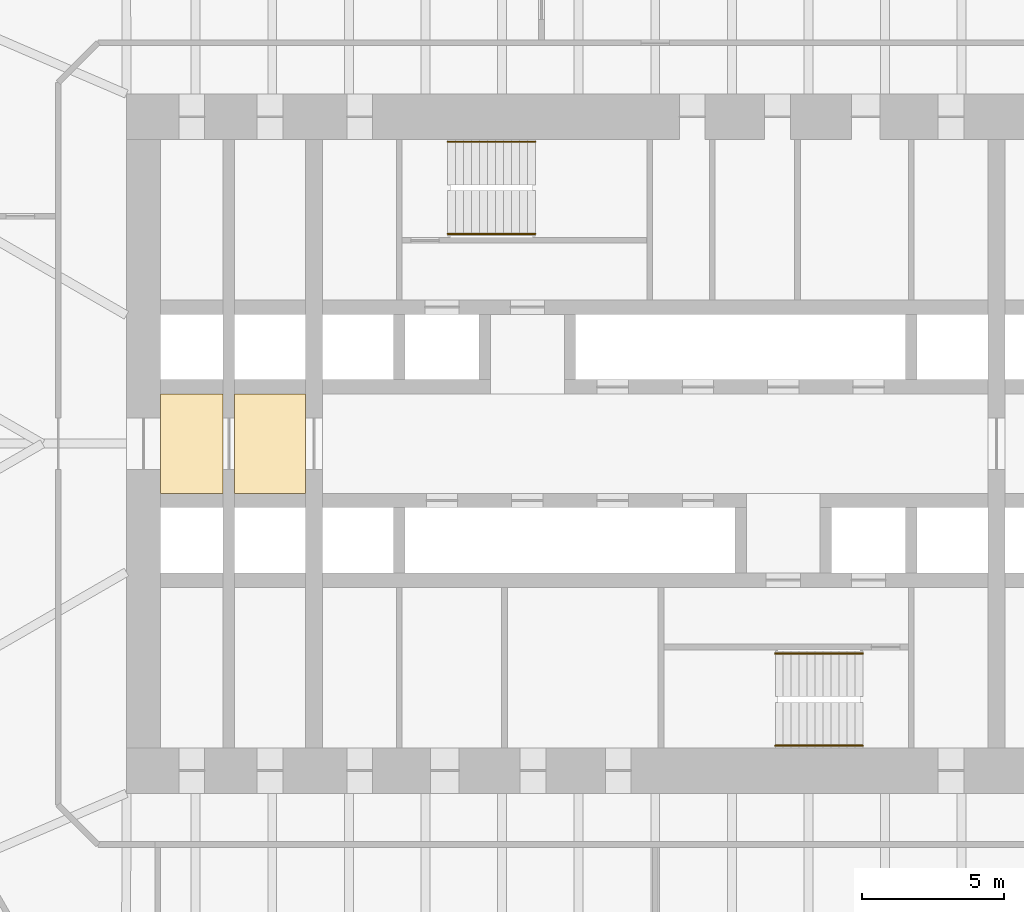
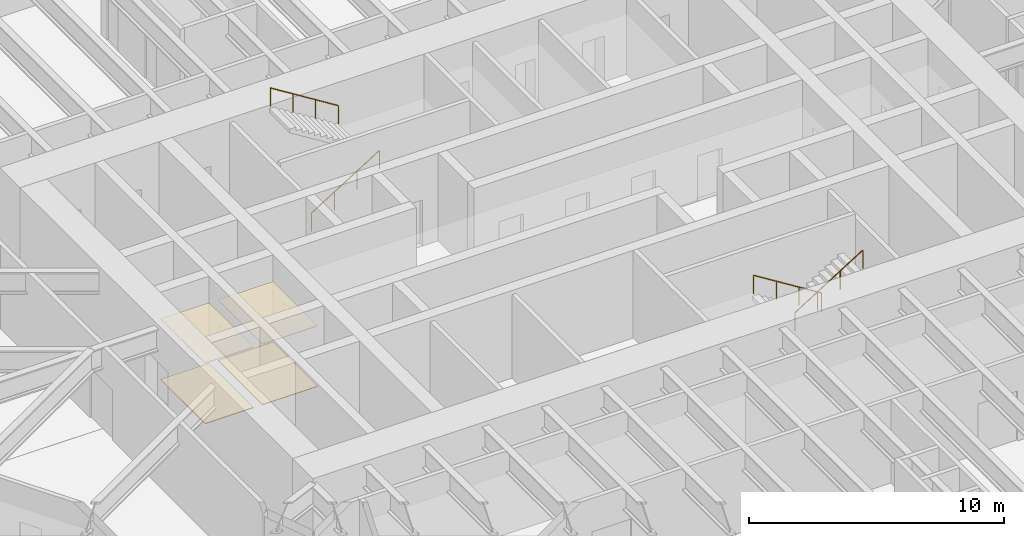
# One storey, part 22 of 24: 4 coverings, 4 railings.
"""IFC4 building model written with IfcOpenShell, lengths in metres."""

from ifc_helpers import new_model, si_unit, direction, frame, origin, origin_2d, place, context, subcontext, project, spatial, polyline, circle, outline, extrude, material, layer, layer_set, type_object, element, save


model = new_model("IFC4")

# Units and contexts
model_context = context("Model", 3, precision=1e-05, world=origin(), true_north=direction((0.0, 1.0)))
body_context = subcontext(model_context, "Body", "Model", "MODEL_VIEW")
ifc_project = project(units=[si_unit("LENGTHUNIT", "METRE"), si_unit("AREAUNIT", "SQUARE_METRE"), si_unit("VOLUMEUNIT", "CUBIC_METRE"), si_unit("PLANEANGLEUNIT", "RADIAN"), si_unit("MASSUNIT", "GRAM", prefix="KILO")], contexts=[model_context])

# Site, building, storey
site_placement = place(None, origin())
site = spatial("IfcSite", under=ifc_project, at=site_placement, CompositionType="ELEMENT")
building_placement = place(site_placement, origin())
building = spatial("IfcBuilding", under=site, at=building_placement, Name="Tarfa Lantern Tower", CompositionType="ELEMENT")
storey_placement = place(building_placement, frame((0.0, 0.0, 73.89990234375)))
storey = spatial("IfcBuildingStorey", under=building, at=storey_placement, Name="L16", CompositionType="ELEMENT", Elevation=73.89990234375)

# Coverings
ifc_material_1 = material(Name="Powder-coated aluminium panel", Category="aluminium")
ifc_layer_1 = layer(ifc_material_1, 0.030029296875)
ifc_layer_set_1 = layer_set([ifc_layer_1], Name="CL3 METAL PANEL CEILING 30")
covering_type_1 = type_object("IfcCoveringType", Name="CL3 METAL PANEL CEILING 30", PredefinedType="CEILING", material=ifc_layer_set_1)
covering_1_placement = place(storey_placement, frame((0.0, 0.0, 2.900146484375)))
element("IfcCovering", 1, at=covering_1_placement, inside=storey, type_object=covering_type_1, Name="Ceiling L16-01", PredefinedType="CEILING", context=body_context, shape_type="SweptSolid", body=[
    extrude(outline(polyline([(-17.39990234375, -1.75), (-15.199951171875, -1.75), (-15.199951171875, 1.75), (-17.39990234375, 1.75), (-17.39990234375, -1.75)])), origin(), (0.0, 0.0, 1.0), 0.030029296875),
])
covering_2_placement = place(storey_placement, frame((0.0, 0.0, 2.900146484375)))
element("IfcCovering", 2, at=covering_2_placement, inside=storey, type_object=covering_type_1, Name="Ceiling L16-02", PredefinedType="CEILING", context=body_context, shape_type="SweptSolid", body=[
    extrude(outline(polyline([(-14.800048828125, -1.75), (-12.300048828125, -1.75), (-12.300048828125, 1.75), (-14.800048828125, 1.75), (-14.800048828125, -1.75)])), origin(), (0.0, 0.0, 1.0), 0.030029296875),
])
ifc_material_2 = material(Name="Honed limestone flooring", Category="masonry")
ifc_layer_2 = layer(ifc_material_2, 0.030029296875)
ifc_layer_set_2 = layer_set([ifc_layer_2], Name="FL2 STONE FLOORING 30")
covering_type_2 = type_object("IfcCoveringType", Name="FL2 STONE FLOORING 30", PredefinedType="FLOORING", material=ifc_layer_set_2)
covering_3_placement = place(storey_placement, origin())
element("IfcCovering", 3, at=covering_3_placement, inside=storey, type_object=covering_type_2, Name="Floor finish L16-01", PredefinedType="FLOORING", context=body_context, shape_type="SweptSolid", body=[
    extrude(outline(polyline([(-17.39990234375, -1.75), (-15.199951171875, -1.75), (-15.199951171875, 1.75), (-17.39990234375, 1.75), (-17.39990234375, -1.75)])), origin(), (0.0, 0.0, 1.0), 0.030029296875),
])
covering_4_placement = place(storey_placement, origin())
element("IfcCovering", 4, at=covering_4_placement, inside=storey, type_object=covering_type_2, Name="Floor finish L16-02", PredefinedType="FLOORING", context=body_context, shape_type="SweptSolid", body=[
    extrude(outline(polyline([(-14.800048828125, -1.75), (-12.300048828125, -1.75), (-12.300048828125, 1.75), (-14.800048828125, 1.75), (-14.800048828125, -1.75)])), origin(), (0.0, 0.0, 1.0), 0.030029296875),
])

# Railings
ifc_material_3 = material(Name="Stainless steel", Category="steel")
railing_type = type_object("IfcRailingType", Name="HR1 HANDRAIL 900", PredefinedType="HANDRAIL", material=ifc_material_3)
railing_1_placement = place(storey_placement, frame((-7.300048828125, 7.3798828125, 0.175048828125)))
element("IfcRailing", 5, at=railing_1_placement, inside=storey, type_object=railing_type, Name="Handrail 1", PredefinedType="HANDRAIL", context=body_context, shape_type="SweptSolid", body=[
    extrude(circle(Radius=0.02392578125, at=origin_2d()), frame((0.0, 0.0, 0.8759765625), z_axis=(0.847998304005, 0.0, 0.529998940003), x_axis=(0.0, 1.0, 0.0)), (0.0, 0.0, 1.0), 3.632080078125),
    extrude(circle(Radius=0.02099609375, at=origin_2d()), frame((0.0, 0.0, 0.0), z_axis=(0.0, 0.0, 1.0), x_axis=(0.0, 1.0, 0.0)), (0.0, 0.0, 1.0), 0.851806640625),
    extrude(circle(Radius=0.02099609375, at=origin_2d()), frame((1.026611328125, 0.0, 0.6416015625), z_axis=(0.0, 0.0, 1.0), x_axis=(0.0, 1.0, 0.0)), (0.0, 0.0, 1.0), 0.851806640625),
    extrude(circle(Radius=0.02099609375, at=origin_2d()), frame((2.053466796875, 0.0, 1.283447265625), z_axis=(0.0, 0.0, 1.0), x_axis=(0.0, 1.0, 0.0)), (0.0, 0.0, 1.0), 0.851806640625),
    extrude(circle(Radius=0.02099609375, at=origin_2d()), frame((3.080078125, 0.0, 1.925048828125), z_axis=(0.0, 0.0, 1.0), x_axis=(0.0, 1.0, 0.0)), (0.0, 0.0, 1.0), 0.851806640625),
])
for number, where, name in (
    (6, (-4.219970703125, 10.6201171875, 2.275146484375), "Handrail 2"),
    (7, (7.300048828125, -7.3798828125, 0.175048828125), "Handrail 1"),
):
    element("IfcRailing", number, at=place(storey_placement, frame(where)), inside=storey, type_object=railing_type, Name=name, PredefinedType="HANDRAIL", context=body_context, shape_type="SweptSolid", body=[
        extrude(circle(Radius=0.02392578125, at=origin_2d()), frame((0.0, 0.0, 0.8759765625), z_axis=(-0.847998304005, 0.0, 0.529998940003), x_axis=(0.0, -1.0, 0.0)), (0.0, 0.0, 1.0), 3.632080078125),
        extrude(circle(Radius=0.02099609375, at=origin_2d()), frame((0.0, 0.0, 0.0), z_axis=(0.0, 0.0, 1.0), x_axis=(0.0, -1.0, 0.0)), (0.0, 0.0, 1.0), 0.851806640625),
        extrude(circle(Radius=0.02099609375, at=origin_2d()), frame((-1.026611328125, 0.0, 0.6416015625), z_axis=(0.0, 0.0, 1.0), x_axis=(0.0, -1.0, 0.0)), (0.0, 0.0, 1.0), 0.851806640625),
        extrude(circle(Radius=0.02099609375, at=origin_2d()), frame((-2.053466796875, 0.0, 1.283447265625), z_axis=(0.0, 0.0, 1.0), x_axis=(0.0, -1.0, 0.0)), (0.0, 0.0, 1.0), 0.851806640625),
        extrude(circle(Radius=0.02099609375, at=origin_2d()), frame((-3.080078125, 0.0, 1.925048828125), z_axis=(0.0, 0.0, 1.0), x_axis=(0.0, -1.0, 0.0)), (0.0, 0.0, 1.0), 0.851806640625),
    ])
railing_2_placement = place(storey_placement, frame((4.219970703125, -10.6201171875, 2.275146484375)))
element("IfcRailing", 8, at=railing_2_placement, inside=storey, type_object=railing_type, Name="Handrail 2", PredefinedType="HANDRAIL", context=body_context, shape_type="SweptSolid", body=[
    extrude(circle(Radius=0.02392578125, at=origin_2d()), frame((0.0, 0.0, 0.8759765625), z_axis=(0.847998304005, 0.0, 0.529998940003), x_axis=(0.0, 1.0, 0.0)), (0.0, 0.0, 1.0), 3.632080078125),
    extrude(circle(Radius=0.02099609375, at=origin_2d()), frame((0.0, 0.0, 0.0), z_axis=(0.0, 0.0, 1.0), x_axis=(0.0, 1.0, 0.0)), (0.0, 0.0, 1.0), 0.851806640625),
    extrude(circle(Radius=0.02099609375, at=origin_2d()), frame((1.026611328125, 0.0, 0.6416015625), z_axis=(0.0, 0.0, 1.0), x_axis=(0.0, 1.0, 0.0)), (0.0, 0.0, 1.0), 0.851806640625),
    extrude(circle(Radius=0.02099609375, at=origin_2d()), frame((2.053466796875, 0.0, 1.283447265625), z_axis=(0.0, 0.0, 1.0), x_axis=(0.0, 1.0, 0.0)), (0.0, 0.0, 1.0), 0.851806640625),
    extrude(circle(Radius=0.02099609375, at=origin_2d()), frame((3.080078125, 0.0, 1.925048828125), z_axis=(0.0, 0.0, 1.0), x_axis=(0.0, 1.0, 0.0)), (0.0, 0.0, 1.0), 0.851806640625),
])

save(model, "model.ifc")
